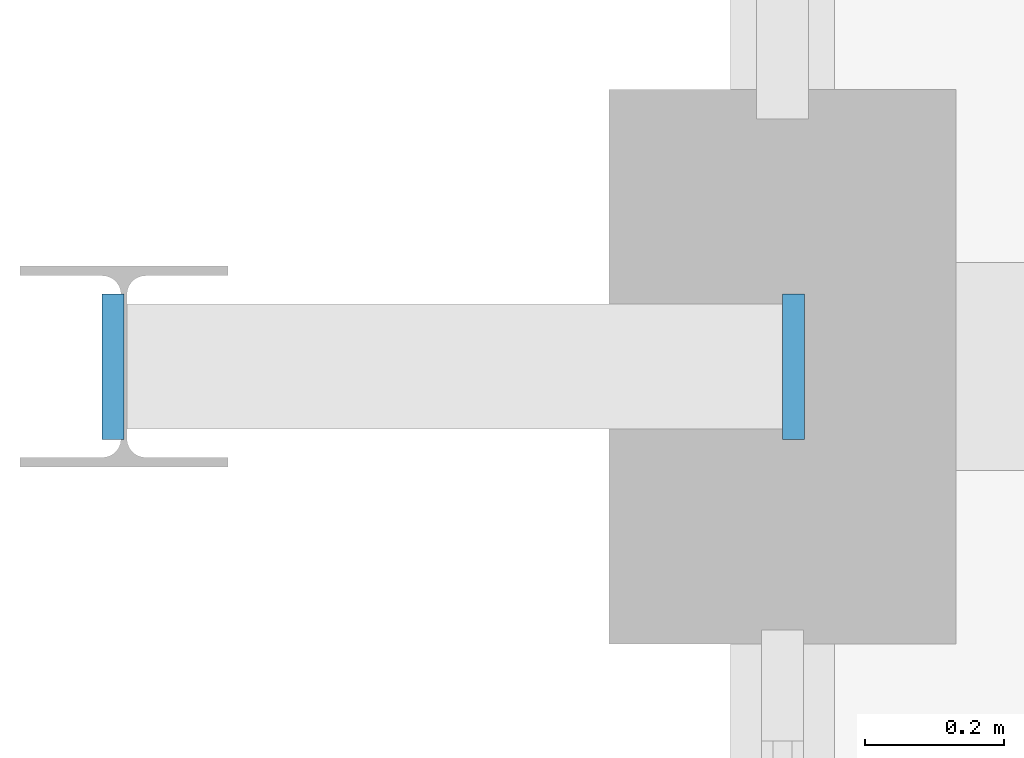
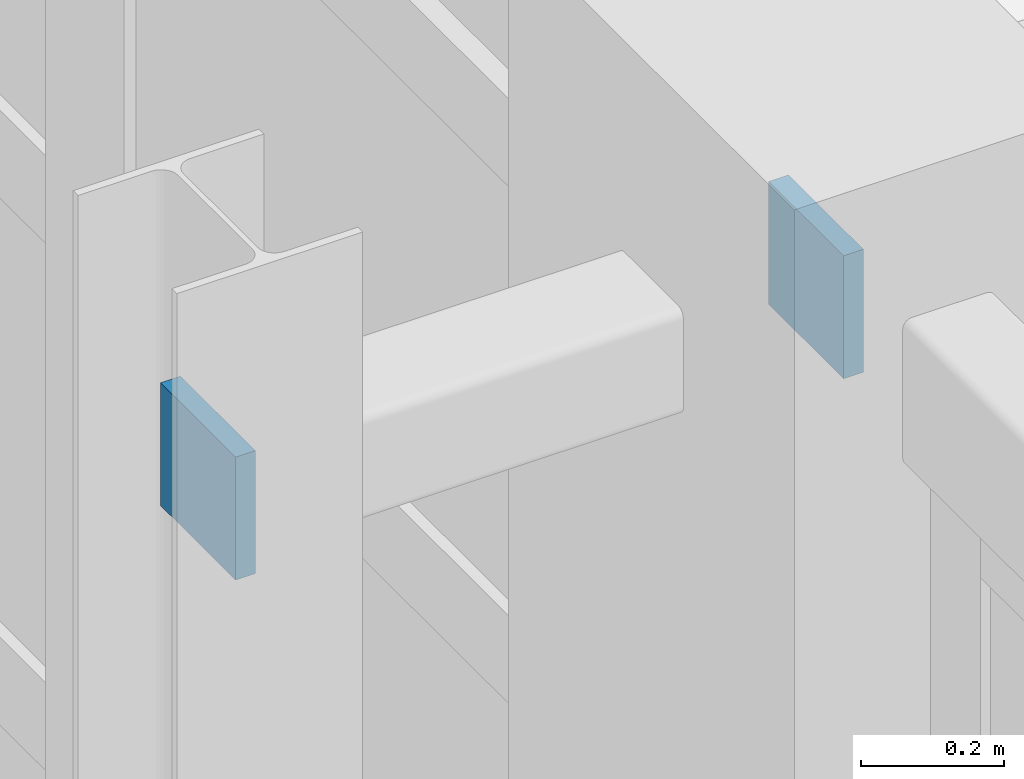
# One storey, part 111 of 139: 2 plates.
"""IFC4 building model written with IfcOpenShell, lengths in metres."""

from ifc_helpers import new_model, si_unit, direction, frame, origin, origin_2d, place, context, subcontext, project, spatial, rectangle, extrude, material, layer, layer_set, type_object, element, save


model = new_model("IFC4")

# Units and contexts
model_context = context("Model", 3, precision=1e-05, world=origin(), true_north=direction((0.0, 1.0)))
body_context = subcontext(model_context, "Body", "Model", "MODEL_VIEW")
ifc_project = project(units=[si_unit("LENGTHUNIT", "METRE"), si_unit("AREAUNIT", "SQUARE_METRE"), si_unit("VOLUMEUNIT", "CUBIC_METRE"), si_unit("PLANEANGLEUNIT", "RADIAN"), si_unit("MASSUNIT", "GRAM", prefix="KILO"), si_unit("THERMODYNAMICTEMPERATUREUNIT", "KELVIN"), si_unit("POWERUNIT", "WATT")], contexts=[model_context])

# Site, building, storey
site_placement = place(None, origin())
site = spatial("IfcSite", under=ifc_project, at=site_placement, CompositionType="ELEMENT")
building_placement = place(site_placement, origin())
building = spatial("IfcBuilding", under=site, at=building_placement, Name="Korenveer Ferry Terminal", CompositionType="ELEMENT")
storey_placement = place(building_placement, frame((0.0, 0.0, 5.39990234375)))
storey = spatial("IfcBuildingStorey", under=building, at=storey_placement, Name="L01", CompositionType="ELEMENT", Elevation=5.39990234375)

# Plates
ifc_material = material(Name="Steel S355", Category="steel")
ifc_layer = layer(ifc_material, 0.031982421875)
ifc_layer_set = layer_set([ifc_layer], Name="Steel S355")
plate_type = type_object("IfcPlateType", Name="STR-PLT-CAP32", PredefinedType="USERDEFINED", material=ifc_layer_set)
for number, where, z_axis, x_axis, name in (
    (1, (-0.98193359375, 70.0, 4.35009765625), (1.0, 0.0, 0.0), (0.0, 1.0, 0.0), "Hollow section end cap 109"),
    (2, (0.0, 70.0, 4.35009765625), (1.0, 0.0, 0.0), (0.0, 1.0, 0.0), "Hollow section end cap 110"),
):
    element("IfcPlate", number, at=place(storey_placement, frame(where, z_axis=z_axis, x_axis=x_axis)), inside=storey, type_object=plate_type, Name=name, ObjectType="END CAP PLATE", PredefinedType="USERDEFINED", context=body_context, shape_type="SweptSolid", body=[
        extrude(rectangle(XDim=0.2099609375, YDim=0.2099609375, at=origin_2d()), origin(), (0.0, 0.0, 1.0), 0.031982421875),
    ])

save(model, "model.ifc")
